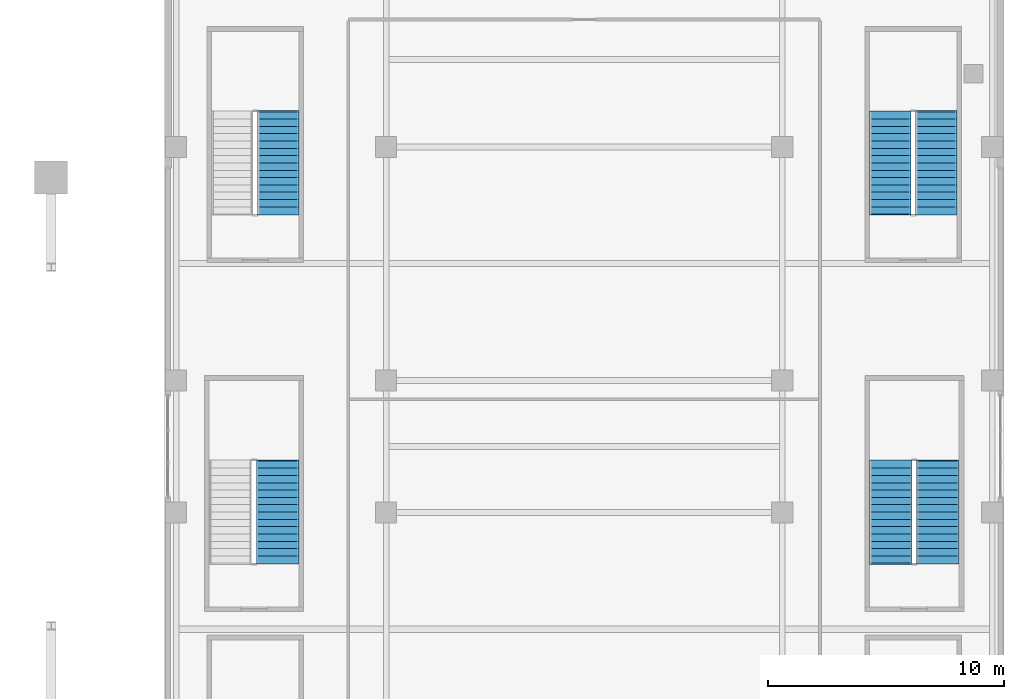
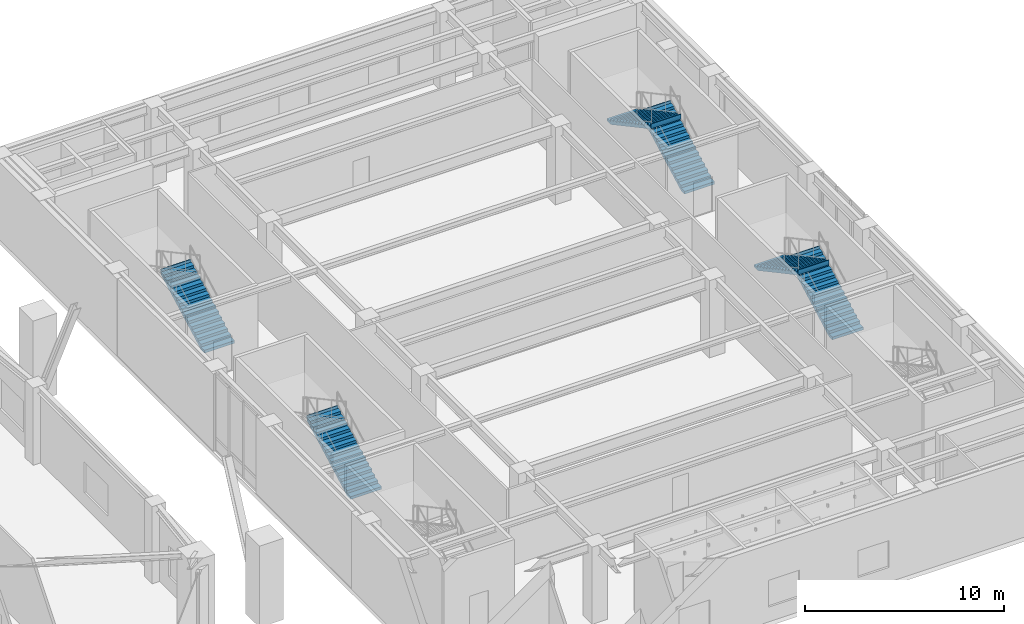
# One storey, part 17 of 21: 6 stair flights, 4 elements without a shape of their own.
"""IFC4 building model written with IfcOpenShell, lengths in metres."""

from ifc_helpers import new_model, si_unit, direction, frame, origin, place, context, subcontext, project, spatial, polyline, outline, extrude, material, type_object, element, aggregate, save


model = new_model("IFC4")

# Units and contexts
model_context = context("Model", 3, precision=1e-05, world=origin(), true_north=direction((0.0, 1.0)))
body_context = subcontext(model_context, "Body", "Model", "MODEL_VIEW")
ifc_project = project(units=[si_unit("LENGTHUNIT", "METRE"), si_unit("AREAUNIT", "SQUARE_METRE"), si_unit("VOLUMEUNIT", "CUBIC_METRE"), si_unit("PLANEANGLEUNIT", "RADIAN"), si_unit("MASSUNIT", "GRAM", prefix="KILO")], contexts=[model_context])

# Site, building, storey
site_placement = place(None, origin())
site = spatial("IfcSite", under=ifc_project, at=site_placement, CompositionType="ELEMENT")
building_placement = place(site_placement, origin())
building = spatial("IfcBuilding", under=site, at=building_placement, Name="Kolvaren Gate Tower and Convention Centre", CompositionType="ELEMENT")
storey_placement = place(building_placement, frame((0.0, 0.0, 5.0)))
storey = spatial("IfcBuildingStorey", under=building, at=storey_placement, Name="L01", CompositionType="ELEMENT", Elevation=5.0)

# Stair, stair flight
ifc_material = material(Name="Concrete C50/60", Category="concrete")
stair_type = type_object("IfcStairType", Name="STR-STAIR-CONV", PredefinedType="HALF_TURN_STAIR", material=ifc_material)
stair_1_placement = place(storey_placement, origin())
stair_1 = element("IfcStair", 1, at=stair_1_placement, inside=storey, type_object=stair_type, Name="L01 Convention NW Exit Stair ST-C1", PredefinedType="HALF_TURN_STAIR")
stair_flight_type = type_object("IfcStairFlightType", Name="STR-SFL-1750", PredefinedType="STRAIGHT", material=ifc_material)
stair_flight_1_placement = place(storey_placement, frame((67.02490234375, 36.85009765625, 0.0), z_axis=(0.0, 0.0, 1.0), x_axis=(0.0, 1.0, 0.0)))
stair_flight_1 = element("IfcStairFlight", 2, at=stair_flight_1_placement, type_object=stair_flight_type, Name="ST-C1 flight 1", NumberOfRisers=15, NumberOfTreads=14, PredefinedType="STRAIGHT", RiserHeight=0.166666667, TreadLength=0.31, context=body_context, shape_type="SweptSolid", body=[
    extrude(outline(polyline([(-0.034912109375, 0.0), (-0.034912109375, 0.166748046875), (0.31005859375, 0.166748046875), (0.31005859375, 0.333251953125), (0.6201171875, 0.333251953125), (0.6201171875, 0.5), (0.929931640625, 0.5), (0.929931640625, 0.666748046875), (1.239990234375, 0.666748046875), (1.239990234375, 0.833251953125), (1.550048828125, 0.833251953125), (1.550048828125, 1.0), (1.860107421875, 1.0), (1.860107421875, 1.166748046875), (2.169921875, 1.166748046875), (2.169921875, 1.333251953125), (2.47998046875, 1.333251953125), (2.47998046875, 1.5), (2.7900390625, 1.5), (2.7900390625, 1.666748046875), (3.10009765625, 1.666748046875), (3.10009765625, 1.833251953125), (3.409912109375, 1.833251953125), (3.409912109375, 2.0), (3.719970703125, 2.0), (3.719970703125, 2.166748046875), (4.030029296875, 2.166748046875), (4.030029296875, 2.333251953125), (4.340087890625, 2.333251953125), (4.340087890625, 2.5), (4.385009765625, 2.5), (4.385009765625, 2.340087890625), (4.340087890625, 2.1630859375), (0.316650390625, 0.0), (-0.034912109375, 0.0)])), frame((0.0, 0.875, 0.0), z_axis=(0.0, -1.0, 0.0), x_axis=(1.0, 0.0, 0.0)), (0.0, 0.0, 1.0), 1.75),
])
aggregate(stair_1, [stair_flight_1])

# Stair, stair flights
stair_2_placement = place(storey_placement, origin())
stair_2 = element("IfcStair", 3, at=stair_2_placement, inside=storey, type_object=stair_type, Name="L01 Convention NE Exit Stair ST-C3", PredefinedType="HALF_TURN_STAIR")
stair_flight_2_placement = place(storey_placement, frame((94.925048828125, 36.85009765625, 0.0), z_axis=(0.0, 0.0, 1.0), x_axis=(0.0, 1.0, 0.0)))
stair_flight_2 = element("IfcStairFlight", 4, at=stair_flight_2_placement, type_object=stair_flight_type, Name="ST-C3 flight 1", NumberOfRisers=15, NumberOfTreads=14, PredefinedType="STRAIGHT", RiserHeight=0.166666667, TreadLength=0.31, context=body_context, shape_type="SweptSolid", body=[
    extrude(outline(polyline([(-0.034912109375, 0.0), (-0.034912109375, 0.166748046875), (0.31005859375, 0.166748046875), (0.31005859375, 0.333251953125), (0.6201171875, 0.333251953125), (0.6201171875, 0.5), (0.929931640625, 0.5), (0.929931640625, 0.666748046875), (1.239990234375, 0.666748046875), (1.239990234375, 0.833251953125), (1.550048828125, 0.833251953125), (1.550048828125, 1.0), (1.860107421875, 1.0), (1.860107421875, 1.166748046875), (2.169921875, 1.166748046875), (2.169921875, 1.333251953125), (2.47998046875, 1.333251953125), (2.47998046875, 1.5), (2.7900390625, 1.5), (2.7900390625, 1.666748046875), (3.10009765625, 1.666748046875), (3.10009765625, 1.833251953125), (3.409912109375, 1.833251953125), (3.409912109375, 2.0), (3.719970703125, 2.0), (3.719970703125, 2.166748046875), (4.030029296875, 2.166748046875), (4.030029296875, 2.333251953125), (4.340087890625, 2.333251953125), (4.340087890625, 2.5), (4.385009765625, 2.5), (4.385009765625, 2.340087890625), (4.340087890625, 2.1630859375), (0.316650390625, 0.0), (-0.034912109375, 0.0)])), frame((0.0, 0.875, 0.0), z_axis=(0.0, -1.0, 0.0), x_axis=(1.0, 0.0, 0.0)), (0.0, 0.0, 1.0), 1.75),
])
stair_flight_3_placement = place(storey_placement, frame((92.97509765625, 41.18994140625, 2.5), z_axis=(0.0, 0.0, 1.0), x_axis=(0.0, -1.0, 0.0)))
stair_flight_3 = element("IfcStairFlight", 5, at=stair_flight_3_placement, type_object=stair_flight_type, Name="ST-C3 flight 2", NumberOfRisers=15, NumberOfTreads=14, PredefinedType="STRAIGHT", RiserHeight=0.166666667, TreadLength=0.31, context=body_context, shape_type="SweptSolid", body=[
    extrude(outline(polyline([(-0.034912109375, 0.0), (-0.034912109375, 0.166748046875), (0.31005859375, 0.166748046875), (0.31005859375, 0.333251953125), (0.6201171875, 0.333251953125), (0.6201171875, 0.5), (0.929931640625, 0.5), (0.929931640625, 0.666748046875), (1.239990234375, 0.666748046875), (1.239990234375, 0.833251953125), (1.550048828125, 0.833251953125), (1.550048828125, 1.0), (1.860107421875, 1.0), (1.860107421875, 1.166748046875), (2.169921875, 1.166748046875), (2.169921875, 1.333251953125), (2.47998046875, 1.333251953125), (2.47998046875, 1.5), (2.7900390625, 1.5), (2.7900390625, 1.666748046875), (3.10009765625, 1.666748046875), (3.10009765625, 1.833251953125), (3.409912109375, 1.833251953125), (3.409912109375, 2.0), (3.719970703125, 2.0), (3.719970703125, 2.166748046875), (4.030029296875, 2.166748046875), (4.030029296875, 2.333251953125), (4.340087890625, 2.333251953125), (4.340087890625, 2.5), (4.385009765625, 2.5), (4.385009765625, 2.340087890625), (4.340087890625, 2.1630859375), (0.316650390625, 0.0), (-0.034912109375, 0.0)])), frame((0.0, 0.875, 0.0), z_axis=(0.0, -1.0, 0.0), x_axis=(1.0, 0.0, 0.0)), (0.0, 0.0, 1.0), 1.75),
])
aggregate(stair_2, [stair_flight_2, stair_flight_3])

# Stair, stair flight
stair_3_placement = place(storey_placement, origin())
stair_3 = element("IfcStair", 6, at=stair_3_placement, inside=storey, type_object=stair_type, Name="L01 Convention West Assembly Stair ST-C5", PredefinedType="HALF_TURN_STAIR")
stair_flight_4_placement = place(storey_placement, frame((67.0, 22.050048828125, 0.0), z_axis=(0.0, 0.0, 1.0), x_axis=(0.0, 1.0, 0.0)))
stair_flight_4 = element("IfcStairFlight", 7, at=stair_flight_4_placement, type_object=stair_flight_type, Name="ST-C5 flight 1", NumberOfRisers=15, NumberOfTreads=14, PredefinedType="STRAIGHT", RiserHeight=0.166666667, TreadLength=0.31, context=body_context, shape_type="SweptSolid", body=[
    extrude(outline(polyline([(-0.034912109375, 0.0), (-0.034912109375, 0.166748046875), (0.31005859375, 0.166748046875), (0.31005859375, 0.333251953125), (0.6201171875, 0.333251953125), (0.6201171875, 0.5), (0.929931640625, 0.5), (0.929931640625, 0.666748046875), (1.239990234375, 0.666748046875), (1.239990234375, 0.833251953125), (1.550048828125, 0.833251953125), (1.550048828125, 1.0), (1.860107421875, 1.0), (1.860107421875, 1.166748046875), (2.169921875, 1.166748046875), (2.169921875, 1.333251953125), (2.47998046875, 1.333251953125), (2.47998046875, 1.5), (2.7900390625, 1.5), (2.7900390625, 1.666748046875), (3.10009765625, 1.666748046875), (3.10009765625, 1.833251953125), (3.409912109375, 1.833251953125), (3.409912109375, 2.0), (3.719970703125, 2.0), (3.719970703125, 2.166748046875), (4.030029296875, 2.166748046875), (4.030029296875, 2.333251953125), (4.340087890625, 2.333251953125), (4.340087890625, 2.5), (4.385009765625, 2.5), (4.385009765625, 2.340087890625), (4.340087890625, 2.1630859375), (0.316650390625, 0.0), (-0.034912109375, 0.0)])), frame((0.0, 0.89990234375, 0.0), z_axis=(0.0, -1.0, 0.0), x_axis=(1.0, 0.0, 0.0)), (0.0, 0.0, 1.0), 1.800048828125),
])
aggregate(stair_3, [stair_flight_4])

# Stair, stair flights
stair_4_placement = place(storey_placement, origin())
stair_4 = element("IfcStair", 8, at=stair_4_placement, inside=storey, type_object=stair_type, Name="L01 Convention East Assembly Stair ST-C6", PredefinedType="HALF_TURN_STAIR")
stair_flight_5_placement = place(storey_placement, frame((95.0, 22.050048828125, 0.0), z_axis=(0.0, 0.0, 1.0), x_axis=(0.0, 1.0, 0.0)))
stair_flight_5 = element("IfcStairFlight", 9, at=stair_flight_5_placement, type_object=stair_flight_type, Name="ST-C6 flight 1", NumberOfRisers=15, NumberOfTreads=14, PredefinedType="STRAIGHT", RiserHeight=0.166666667, TreadLength=0.31, context=body_context, shape_type="SweptSolid", body=[
    extrude(outline(polyline([(-0.034912109375, 0.0), (-0.034912109375, 0.166748046875), (0.31005859375, 0.166748046875), (0.31005859375, 0.333251953125), (0.6201171875, 0.333251953125), (0.6201171875, 0.5), (0.929931640625, 0.5), (0.929931640625, 0.666748046875), (1.239990234375, 0.666748046875), (1.239990234375, 0.833251953125), (1.550048828125, 0.833251953125), (1.550048828125, 1.0), (1.860107421875, 1.0), (1.860107421875, 1.166748046875), (2.169921875, 1.166748046875), (2.169921875, 1.333251953125), (2.47998046875, 1.333251953125), (2.47998046875, 1.5), (2.7900390625, 1.5), (2.7900390625, 1.666748046875), (3.10009765625, 1.666748046875), (3.10009765625, 1.833251953125), (3.409912109375, 1.833251953125), (3.409912109375, 2.0), (3.719970703125, 2.0), (3.719970703125, 2.166748046875), (4.030029296875, 2.166748046875), (4.030029296875, 2.333251953125), (4.340087890625, 2.333251953125), (4.340087890625, 2.5), (4.385009765625, 2.5), (4.385009765625, 2.340087890625), (4.340087890625, 2.1630859375), (0.316650390625, 0.0), (-0.034912109375, 0.0)])), frame((0.0, 0.89990234375, 0.0), z_axis=(0.0, -1.0, 0.0), x_axis=(1.0, 0.0, 0.0)), (0.0, 0.0, 1.0), 1.800048828125),
])
stair_flight_6_placement = place(storey_placement, frame((93.0, 26.389892578125, 2.5), z_axis=(0.0, 0.0, 1.0), x_axis=(0.0, -1.0, 0.0)))
stair_flight_6 = element("IfcStairFlight", 10, at=stair_flight_6_placement, type_object=stair_flight_type, Name="ST-C6 flight 2", NumberOfRisers=15, NumberOfTreads=14, PredefinedType="STRAIGHT", RiserHeight=0.166666667, TreadLength=0.31, context=body_context, shape_type="SweptSolid", body=[
    extrude(outline(polyline([(-0.034912109375, 0.0), (-0.034912109375, 0.166748046875), (0.31005859375, 0.166748046875), (0.31005859375, 0.333251953125), (0.6201171875, 0.333251953125), (0.6201171875, 0.5), (0.929931640625, 0.5), (0.929931640625, 0.666748046875), (1.239990234375, 0.666748046875), (1.239990234375, 0.833251953125), (1.550048828125, 0.833251953125), (1.550048828125, 1.0), (1.860107421875, 1.0), (1.860107421875, 1.166748046875), (2.169921875, 1.166748046875), (2.169921875, 1.333251953125), (2.47998046875, 1.333251953125), (2.47998046875, 1.5), (2.7900390625, 1.5), (2.7900390625, 1.666748046875), (3.10009765625, 1.666748046875), (3.10009765625, 1.833251953125), (3.409912109375, 1.833251953125), (3.409912109375, 2.0), (3.719970703125, 2.0), (3.719970703125, 2.166748046875), (4.030029296875, 2.166748046875), (4.030029296875, 2.333251953125), (4.340087890625, 2.333251953125), (4.340087890625, 2.5), (4.385009765625, 2.5), (4.385009765625, 2.340087890625), (4.340087890625, 2.1630859375), (0.316650390625, 0.0), (-0.034912109375, 0.0)])), frame((0.0, 0.89990234375, 0.0), z_axis=(0.0, -1.0, 0.0), x_axis=(1.0, 0.0, 0.0)), (0.0, 0.0, 1.0), 1.800048828125),
])
aggregate(stair_4, [stair_flight_5, stair_flight_6])

save(model, "model.ifc")
